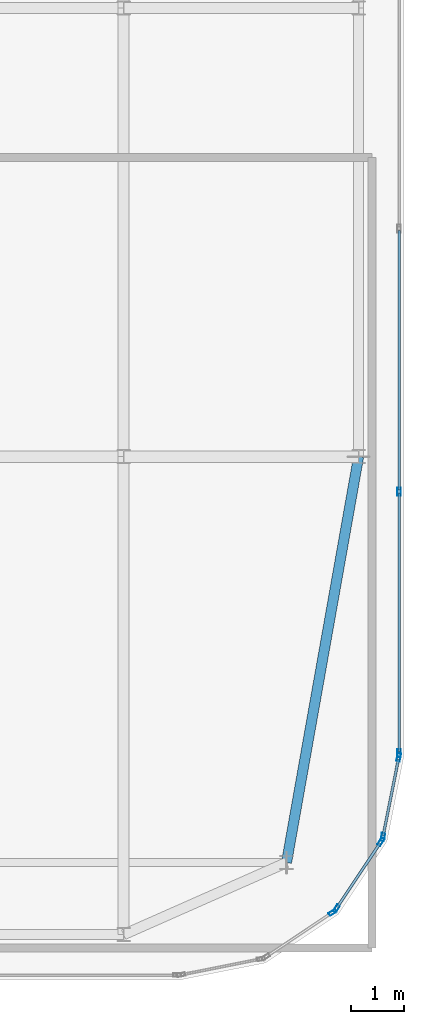
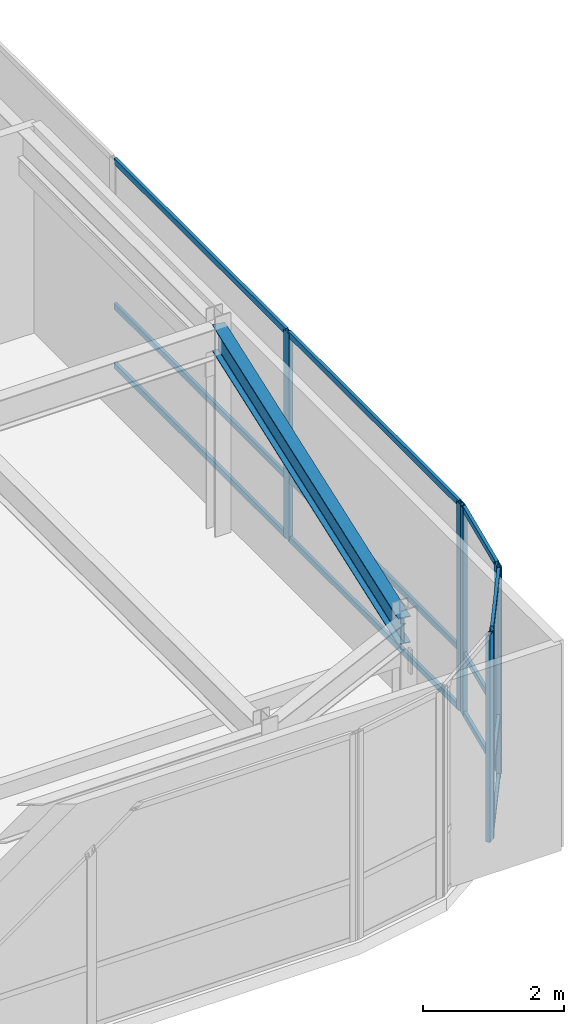
# One storey, part 21 of 36: 19 members, 1 beam, 4 elements without a shape of their own.
"""IFC4 building model written with IfcOpenShell, lengths in metres."""

import ifcopenshell
import ifcopenshell.guid

model = None  # the IFC model being written
_history = None  # IfcOwnerHistory: only IFC2X3 demands one
_inside = {}  # id of a spatial element -> (the spatial element, [elements in it])
_under = {}  # id of a project, library or spatial element -> (it, [spatial elements below it])
_declared = {}  # id of a project -> (the project, [libraries it declares])
_typed = {}  # id of a type object -> (the type object, [elements of that type])
_made_of = {}  # id of a material, layer set ... -> (it, [elements and type objects made of it])


def new_model(schema):
    """Start an empty IFC model of exactly this schema.

    Asked for "IFC4X3", IfcOpenShell would pick the latest addendum, in which some entities
    have other attributes; the version numbers below select the first issue.
    IFC2X3 requires an IfcOwnerHistory on every rooted entity: one is made here for all.
    """
    global model, _history
    if schema == "IFC4X3":
        model = ifcopenshell.file(schema_version=(4, 3, 0, 0))
    else:
        model = ifcopenshell.file(schema=schema)
    _inside.clear()
    _under.clear()
    _declared.clear()
    _typed.clear()
    _made_of.clear()
    _history = None
    if model.schema == "IFC2X3":
        org = make("IfcOrganization", Name="unknown")
        user = make(
            "IfcPersonAndOrganization",
            ThePerson=make("IfcPerson", FamilyName="unknown"),
            TheOrganization=org,
        )
        app = make(
            "IfcApplication",
            ApplicationDeveloper=org,
            Version="unknown",
            ApplicationFullName="unknown",
            ApplicationIdentifier="unknown",
        )
        _history = make(
            "IfcOwnerHistory",
            OwningUser=user,
            OwningApplication=app,
            ChangeAction="ADDED",
            CreationDate=0,
        )
    return model


def make(cls, **values):
    """One entity of the class cls with the attributes given. An attribute that is None is left unset."""
    return model.create_entity(
        cls, **{name: value for name, value in values.items() if value is not None}
    )


def rooted(cls, **values):
    """An entity with a GlobalId (a new one), such as an element, a storey or a relation."""
    return make(cls, GlobalId=ifcopenshell.guid.new(), OwnerHistory=_history, **values)


def si_unit(unit_type, name, prefix=None):
    """IfcSIUnit, for example si_unit("LENGTHUNIT", "METRE", prefix="MILLI")."""
    return make("IfcSIUnit", UnitType=unit_type, Prefix=prefix, Name=name)


def assignment(units):
    """IfcUnitAssignment: the units of a project."""
    return None if units is None else make("IfcUnitAssignment", Units=units)


def point(xyz):
    """IfcCartesianPoint."""
    return None if xyz is None else make("IfcCartesianPoint", Coordinates=xyz)


def direction(xyz):
    """IfcDirection."""
    return None if xyz is None else make("IfcDirection", DirectionRatios=xyz)


def frame(location, z_axis=None, x_axis=None):
    """IfcAxis2Placement3D, a coordinate frame: its origin and axes. An axis left out is left unset."""
    return make(
        "IfcAxis2Placement3D",
        Location=point(location),
        Axis=direction(z_axis),
        RefDirection=direction(x_axis),
    )


def frame_2d(location, x_axis=None):
    """IfcAxis2Placement2D, a coordinate frame in the plane: its origin and x axis."""
    return make(
        "IfcAxis2Placement2D", Location=point(location), RefDirection=direction(x_axis)
    )


def origin():
    """The frame at (0, 0, 0) with its axes left unset."""
    return frame((0.0, 0.0, 0.0))


def origin_2d():
    """The frame at (0, 0) in the plane with its x axis left unset."""
    return frame_2d((0.0, 0.0))


def place(relative_to, where):
    """IfcLocalPlacement: puts the frame where relative to a parent placement (None: the world)."""
    return make(
        "IfcLocalPlacement", PlacementRelTo=relative_to, RelativePlacement=where
    )


def context(
    kind, dimensions, precision=None, world=None, true_north=None, identifier=None
):
    """IfcGeometricRepresentationContext, for example the 3D "Model" context."""
    return make(
        "IfcGeometricRepresentationContext",
        ContextIdentifier=identifier,
        ContextType=kind,
        CoordinateSpaceDimension=dimensions,
        Precision=precision,
        WorldCoordinateSystem=world,
        TrueNorth=true_north,
    )


def subcontext(parent, identifier, kind, view, scale=None):
    """IfcGeometricRepresentationSubContext, for example "Body" below "Model"."""
    return make(
        "IfcGeometricRepresentationSubContext",
        ContextIdentifier=identifier,
        ContextType=kind,
        ParentContext=parent,
        TargetScale=scale,
        TargetView=view,
    )


def project(units=None, contexts=None):
    """IfcProject with its units and contexts."""
    return rooted(
        "IfcProject",
        Name="project",
        RepresentationContexts=contexts,
        UnitsInContext=assignment(units),
    )


def spatial(cls, under=None, at=None, **own):
    """A site, building, storey or space (cls), placed at a placement, below another one or the project."""
    s = rooted(cls, ObjectPlacement=at, **own)
    if under is not None:
        _under.setdefault(under.id(), (under, []))[1].append(s)
    return s


def profile(cls, at=None, kind="AREA", **sizes):
    """A parametric profile (cls). Its sizes go by their IFC names, for example OverallWidth=200.0."""
    return make(cls, ProfileType=kind, Position=at, **sizes)


def hollow_rectangle(**sizes):
    """IfcRectangleHollowProfileDef."""
    return profile("IfcRectangleHollowProfileDef", **sizes)


def i_section(**sizes):
    """IfcIShapeProfileDef."""
    return profile("IfcIShapeProfileDef", **sizes)


def extrude(swept, where, along, depth):
    """IfcExtrudedAreaSolid: the profile swept, set in the frame where, extruded along a direction by depth."""
    return make(
        "IfcExtrudedAreaSolid",
        SweptArea=swept,
        Position=where,
        ExtrudedDirection=direction(along),
        Depth=depth,
    )


def shape(context_of_items, identifier, shape_type, items):
    """IfcShapeRepresentation: the items that make up one representation, for example the "Body"."""
    return make(
        "IfcShapeRepresentation",
        ContextOfItems=context_of_items,
        RepresentationIdentifier=identifier,
        RepresentationType=shape_type,
        Items=items,
    )


def source(mapping_origin, context_of_items, identifier, shape_type, items):
    """IfcRepresentationMap: a shape defined once, which mapped items show again and again."""
    return make(
        "IfcRepresentationMap",
        MappingOrigin=mapping_origin,
        MappedRepresentation=shape(context_of_items, identifier, shape_type, items),
    )


def transform(
    local_origin,
    x_axis=None,
    y_axis=None,
    z_axis=None,
    scale=None,
    scale2=None,
    scale3=None,
    uniform=True,
):
    """IfcCartesianTransformationOperator3D, or its non-uniform kind. x_axis, y_axis, z_axis: its Axis1, 2, 3."""
    if uniform:
        return make(
            "IfcCartesianTransformationOperator3D",
            Axis1=direction(x_axis),
            Axis2=direction(y_axis),
            LocalOrigin=point(local_origin),
            Scale=scale,
            Axis3=direction(z_axis),
        )
    return make(
        "IfcCartesianTransformationOperator3DnonUniform",
        Axis1=direction(x_axis),
        Axis2=direction(y_axis),
        LocalOrigin=point(local_origin),
        Scale=scale,
        Axis3=direction(z_axis),
        Scale2=scale2,
        Scale3=scale3,
    )


def mapped(mapping_source, mapping_target):
    """IfcMappedItem: shows the shape of a source again, moved by a transform."""
    return make(
        "IfcMappedItem", MappingSource=mapping_source, MappingTarget=mapping_target
    )


def material(Name=None, Category=None):
    """IfcMaterial."""
    return make("IfcMaterial", Name=Name, Category=Category)


def layer(
    of_material, thickness, ventilated=None, Name=None, Category=None, Priority=None
):
    """IfcMaterialLayer: one layer of a wall or slab, of a material (None: an air gap)."""
    return make(
        "IfcMaterialLayer",
        Material=of_material,
        LayerThickness=thickness,
        IsVentilated=ventilated,
        Name=Name,
        Category=Category,
        Priority=Priority,
    )


def layer_set(layers, Name=None):
    """IfcMaterialLayerSet."""
    return make("IfcMaterialLayerSet", MaterialLayers=layers, LayerSetName=Name)


def material_profile(
    of_material, cross_section, Name=None, Category=None, Priority=None
):
    """IfcMaterialProfile: a cross section and its material."""
    return make(
        "IfcMaterialProfile",
        Name=Name,
        Material=of_material,
        Profile=cross_section,
        Priority=Priority,
        Category=Category,
    )


def profile_set(profiles, Name=None, composite=None):
    """IfcMaterialProfileSet."""
    return make(
        "IfcMaterialProfileSet",
        Name=Name,
        MaterialProfiles=profiles,
        CompositeProfile=composite,
    )


def made_of(thing, what):
    """Note that an element or type object is made of a material, layer set ...; save() writes the relation."""
    if what is not None:
        _made_of.setdefault(what.id(), (what, []))[1].append(thing)
    return thing


def type_object(cls, material=None, **own):
    """A type object (cls), such as IfcWallType, which elements share."""
    return made_of(rooted(cls, **own), material)


def type_shapes(of_type, sources):
    """Give a type object the sources (RepresentationMaps) that its elements show as mapped items."""
    of_type.RepresentationMaps = sources


def element(
    cls,
    number,
    at=None,
    inside=None,
    cuts=None,
    type_object=None,
    material=None,
    context=None,
    identifier="Body",
    shape_type=None,
    held_by="IfcProductDefinitionShape",
    body=None,
    shapes=None,
    **own,
):
    """One element of the class cls, such as IfcWall. Its Tag is "e" and its number.

    at: its placement. inside: the storey or other place that contains it. cuts: it is an
    opening in that element (IfcRelVoidsElement). A single representation is given by context,
    identifier, shape_type and body (its items); several are given by shapes. held_by: the class
    of the entity that holds the representations. save() writes the other relations.
    """
    e = rooted(cls, Tag="e%d" % number, ObjectPlacement=at, **own)
    if body is not None:
        shapes = [shape(context, identifier, shape_type, body)]
    if shapes is not None:
        e.Representation = make(held_by, Representations=shapes)
    if inside is not None:
        _inside.setdefault(inside.id(), (inside, []))[1].append(e)
    if cuts is not None:
        rooted(
            "IfcRelVoidsElement", RelatingBuildingElement=cuts, RelatedOpeningElement=e
        )
    if type_object is not None:
        _typed.setdefault(type_object.id(), (type_object, []))[1].append(e)
    return made_of(e, material)


def aggregate(whole, parts):
    """IfcRelAggregates: a whole, such as a stair, and the parts it consists of."""
    return rooted("IfcRelAggregates", RelatingObject=whole, RelatedObjects=parts)


def save(model, path):
    """Write the relations noted so far, then the file.

    IfcRelAggregates (storeys below a building ...), IfcRelContainedInSpatialStructure (elements
    in a storey), IfcRelDefinesByType, IfcRelAssociatesMaterial and IfcRelDeclares: one each for
    every whole, place, type object, material and project.
    """
    for whole, parts in _under.values():
        aggregate(whole, parts)
    for where, things in _inside.values():
        rooted(
            "IfcRelContainedInSpatialStructure",
            RelatedElements=things,
            RelatingStructure=where,
        )
    for kind, things in _typed.values():
        rooted("IfcRelDefinesByType", RelatedObjects=things, RelatingType=kind)
    for what, things in _made_of.values():
        rooted("IfcRelAssociatesMaterial", RelatedObjects=things, RelatingMaterial=what)
    for by, libraries in _declared.values():
        rooted("IfcRelDeclares", RelatingContext=by, RelatedDefinitions=libraries)
    model.write(path)


model = new_model("IFC4")

# Units and contexts
model_context = context("Model", 3, precision=1e-05, world=origin(), true_north=direction((0.0, 1.0)))
body_context = subcontext(model_context, "Body", "Model", "MODEL_VIEW")
ifc_project = project(units=[si_unit("LENGTHUNIT", "METRE"), si_unit("AREAUNIT", "SQUARE_METRE"), si_unit("VOLUMEUNIT", "CUBIC_METRE"), si_unit("PLANEANGLEUNIT", "RADIAN"), si_unit("MASSUNIT", "GRAM", prefix="KILO")], contexts=[model_context])

# Site, building, storey
site_placement = place(None, origin())
site = spatial("IfcSite", under=ifc_project, at=site_placement, CompositionType="ELEMENT")
building_placement = place(site_placement, origin())
building = spatial("IfcBuilding", under=site, at=building_placement, Name="Tolvann Quenvar Hotel", CompositionType="ELEMENT")
storey_placement = place(building_placement, frame((0.0, 0.0, 294.75)))
storey = spatial("IfcBuildingStorey", under=building, at=storey_placement, Name="L78", CompositionType="ELEMENT", Elevation=294.75)

# Beam
ifc_material_1 = material(Name="Steel Grade 350", Category="steel")
ifc_material_profile_1 = material_profile(ifc_material_1, i_section(OverallWidth=0.19091796875, OverallDepth=0.4599609375, WebThickness=0.010009765625, FlangeThickness=0.01611328125, FilletRadius=0.011474609375, at=origin_2d()), Name="460UB82")
ifc_profile_set_1 = profile_set([ifc_material_profile_1], Name="Steel Grade 350")
beam_type = type_object("IfcBeamType", Name="BM_SPAND_460UB82", PredefinedType="SPANDREL", material=ifc_profile_set_1)
shared_shape_1 = source(origin(), body_context, "Body", "SweptSolid", [
    extrude(i_section(OverallWidth=0.19091796875, OverallDepth=0.4599609375, WebThickness=0.010009765625, FlangeThickness=0.01611328125, FilletRadius=0.011474609375, at=origin_2d()), origin(), (0.0, 0.0, 1.0), 7.718994140625),
])
type_shapes(beam_type, [shared_shape_1])
beam_placement = place(storey_placement, frame((35.800048828125, 8.39990234375, 3.35009765625), z_axis=(0.174873222329, 0.984590958781, 0.0), x_axis=(-0.984590958781, 0.174873222329, 0.0)))
element("IfcBeam", 1, at=beam_placement, inside=storey, type_object=beam_type, Name="BM-L78-NS-G2-G4", PredefinedType="SPANDREL", context=body_context, shape_type="MappedRepresentation", body=[
    mapped(shared_shape_1, transform((0.0, 0.0, 0.0), x_axis=(1.0, 0.0, 0.0), y_axis=(0.0, 1.0, 0.0), z_axis=(0.0, 0.0, 1.0), scale=1.0)),
])

# Curtain wall, member
ifc_material_2 = material(Name="Thermally broken anodised architectural aluminium 6063-T6 and laminated low-E glass", Category="aluminium")
ifc_layer = layer(ifc_material_2, 0.179931640625)
ifc_layer_set = layer_set([ifc_layer], Name="Thermally broken anodised architectural aluminium 6063-T6 and laminated low-E glass")
curtain_wall_type = type_object("IfcCurtainWallType", Name="CW_SYS_LANT_06", PredefinedType="USERDEFINED", material=ifc_layer_set)
curtain_wall_1_placement = place(storey_placement, origin())
curtain_wall_1 = element("IfcCurtainWall", 2, at=curtain_wall_1_placement, inside=storey, type_object=curtain_wall_type, Name="Curtain Wall CW-LANT-06 (CWR-L78-E06)", ObjectType="UNITISED CURTAIN WALL", PredefinedType="USERDEFINED")
ifc_material_3 = material(Name="Anodised architectural aluminium 6063-T6 framing", Category="aluminium")
ifc_material_profile_2 = material_profile(ifc_material_3, hollow_rectangle(XDim=0.06494140625, YDim=0.14990234375, WallThickness=0.00390625, at=origin_2d()), Name="150x65x4RHS")
ifc_profile_set_2 = profile_set([ifc_material_profile_2], Name="Anodised architectural aluminium 6063-T6 framing")
member_type_1 = type_object("IfcMemberType", Name="CW_MULL_150x65", PredefinedType="MULLION", material=ifc_profile_set_2)
shared_shape_2 = source(origin(), body_context, "Body", "SweptSolid", [
    extrude(hollow_rectangle(XDim=0.06494140625, YDim=0.14990234375, WallThickness=0.00390625, at=origin_2d()), origin(), (0.0, 0.0, 1.0), 3.580078125),
])
type_shapes(member_type_1, [shared_shape_2])
member_1_placement = place(storey_placement, frame((36.663818359375, 7.467529296875, 0.0), z_axis=(0.0, 0.0, 1.0), x_axis=(-0.555655769644, 0.831412452193, 0.0)))
member_1 = element("IfcMember", 3, at=member_1_placement, type_object=member_type_1, Name="CW-LANT-06 mullion 2", PredefinedType="MULLION", context=body_context, shape_type="MappedRepresentation", body=[
    mapped(shared_shape_2, transform((0.0, 0.0, 0.0), x_axis=(1.0, 0.0, 0.0), y_axis=(0.0, 1.0, 0.0), z_axis=(0.0, 0.0, 1.0), scale=1.0)),
])
aggregate(curtain_wall_1, [member_1])

# Curtain wall, members
curtain_wall_2_placement = place(storey_placement, origin())
curtain_wall_2 = element("IfcCurtainWall", 4, at=curtain_wall_2_placement, inside=storey, type_object=curtain_wall_type, Name="Curtain Wall CW-LANT-06 (CWR-L78-E07)", ObjectType="UNITISED CURTAIN WALL", PredefinedType="USERDEFINED")
member_2_placement = place(storey_placement, frame((36.732421875, 7.5361328125, 0.0), z_axis=(0.0, 0.0, 1.0), x_axis=(-0.831412452193, 0.555655769644, 0.0)))
member_2 = element("IfcMember", 5, at=member_2_placement, type_object=member_type_1, Name="CW-LANT-06 mullion 1", PredefinedType="MULLION", context=body_context, shape_type="MappedRepresentation", body=[
    mapped(shared_shape_2, transform((0.0, 0.0, 0.0), x_axis=(1.0, 0.0, 0.0), y_axis=(0.0, 1.0, 0.0), z_axis=(0.0, 0.0, 1.0), scale=1.0)),
])
member_3_placement = place(storey_placement, frame((37.568115234375, 8.786865234375, 0.0), z_axis=(0.0, 0.0, 1.0), x_axis=(-0.831412452193, 0.555655769644, 0.0)))
member_3 = element("IfcMember", 6, at=member_3_placement, type_object=member_type_1, Name="CW-LANT-06 mullion 2", PredefinedType="MULLION", context=body_context, shape_type="MappedRepresentation", body=[
    mapped(shared_shape_2, transform((0.0, 0.0, 0.0), x_axis=(1.0, 0.0, 0.0), y_axis=(0.0, 1.0, 0.0), z_axis=(0.0, 0.0, 1.0), scale=1.0)),
])

curtain_wall_3_placement = place(storey_placement, origin())
curtain_wall_3 = element("IfcCurtainWall", 7, at=curtain_wall_3_placement, inside=storey, type_object=curtain_wall_type, Name="Curtain Wall CW-LANT-06 (CWR-L78-E08)", ObjectType="UNITISED CURTAIN WALL", PredefinedType="USERDEFINED")
member_4_placement = place(storey_placement, frame((37.605224609375, 8.876220703125, 0.0), z_axis=(0.0, 0.0, 1.0), x_axis=(-0.980790999222, 0.195061569369, 0.0)))
member_4 = element("IfcMember", 8, at=member_4_placement, type_object=member_type_1, Name="CW-LANT-06 mullion 1", PredefinedType="MULLION", context=body_context, shape_type="MappedRepresentation", body=[
    mapped(shared_shape_2, transform((0.0, 0.0, 0.0), x_axis=(1.0, 0.0, 0.0), y_axis=(0.0, 1.0, 0.0), z_axis=(0.0, 0.0, 1.0), scale=1.0)),
])
member_5_placement = place(storey_placement, frame((37.902099609375, 10.36865234375, 0.0), z_axis=(0.0, 0.0, 1.0), x_axis=(-0.980790999222, 0.195061569369, 0.0)))
member_5 = element("IfcMember", 9, at=member_5_placement, type_object=member_type_1, Name="CW-LANT-06 mullion 2", PredefinedType="MULLION", context=body_context, shape_type="MappedRepresentation", body=[
    mapped(shared_shape_2, transform((0.0, 0.0, 0.0), x_axis=(1.0, 0.0, 0.0), y_axis=(0.0, 1.0, 0.0), z_axis=(0.0, 0.0, 1.0), scale=1.0)),
])

curtain_wall_4_placement = place(storey_placement, origin())
curtain_wall_4 = element("IfcCurtainWall", 10, at=curtain_wall_4_placement, inside=storey, type_object=curtain_wall_type, Name="Curtain Wall CW-LANT-06 (CWR-L78-E09)", ObjectType="UNITISED CURTAIN WALL", PredefinedType="USERDEFINED")
member_6_placement = place(storey_placement, frame((37.909912109375, 10.44970703125, 0.0), z_axis=(0.0, 0.0, 1.0), x_axis=(-1.0, 0.0, 0.0)))
member_6 = element("IfcMember", 11, at=member_6_placement, type_object=member_type_1, Name="CW-LANT-06 mullion 1", PredefinedType="MULLION", context=body_context, shape_type="MappedRepresentation", body=[
    mapped(shared_shape_2, transform((0.0, 0.0, 0.0), x_axis=(1.0, 0.0, 0.0), y_axis=(0.0, 1.0, 0.0), z_axis=(0.0, 0.0, 1.0), scale=1.0)),
])
member_7_placement = place(storey_placement, frame((37.909912109375, 15.3447265625, 0.0), z_axis=(0.0, 0.0, 1.0), x_axis=(-1.0, 0.0, 0.0)))
member_7 = element("IfcMember", 12, at=member_7_placement, type_object=member_type_1, Name="CW-LANT-06 mullion 2", PredefinedType="MULLION", context=body_context, shape_type="MappedRepresentation", body=[
    mapped(shared_shape_2, transform((0.0, 0.0, 0.0), x_axis=(1.0, 0.0, 0.0), y_axis=(0.0, 1.0, 0.0), z_axis=(0.0, 0.0, 1.0), scale=1.0)),
])

# Member
ifc_material_profile_3 = material_profile(ifc_material_3, hollow_rectangle(XDim=0.050048828125, YDim=0.10009765625, WallThickness=0.0029296875, at=origin_2d()), Name="100x50x3RHS")
ifc_profile_set_3 = profile_set([ifc_material_profile_3], Name="Anodised architectural aluminium 6063-T6 framing")
member_type_2 = type_object("IfcMemberType", Name="CW_TRAN_100x50", PredefinedType="USERDEFINED", material=ifc_profile_set_3)
shared_shape_3 = source(origin(), body_context, "Body", "SweptSolid", [
    extrude(hollow_rectangle(XDim=0.050048828125, YDim=0.10009765625, WallThickness=0.0029296875, at=origin_2d()), origin(), (0.0, 0.0, 1.0), 1.439208984375),
])
member_8_placement = place(storey_placement, frame((36.75048828125, 7.563232421875, 0.02490234375), z_axis=(0.555600315839, 0.831449510818, 0.0), x_axis=(-0.831449510818, 0.555600315839, 0.0)))
member_8 = element("IfcMember", 13, at=member_8_placement, type_object=member_type_2, Name="CW-LANT-06 transom 1.1", ObjectType="TRANSOM", PredefinedType="USERDEFINED", context=body_context, shape_type="MappedRepresentation", body=[
    mapped(shared_shape_3, transform((0.0, 0.0, 0.0), x_axis=(1.0, 0.0, 0.0), y_axis=(0.0, 1.0, 0.0), z_axis=(0.0, 0.0, 1.0), scale=1.0)),
])

member_9_placement = place(storey_placement, frame((36.75048828125, 7.563232421875, 1.050048828125), z_axis=(0.555600315839, 0.831449510818, 0.0), x_axis=(-0.831449510818, 0.555600315839, 0.0)))
member_9 = element("IfcMember", 14, at=member_9_placement, type_object=member_type_2, Name="CW-LANT-06 transom 1.2", ObjectType="TRANSOM", PredefinedType="USERDEFINED", context=body_context, shape_type="MappedRepresentation", body=[
    mapped(shared_shape_3, transform((0.0, 0.0, 0.0), x_axis=(1.0, 0.0, 0.0), y_axis=(0.0, 1.0, 0.0), z_axis=(0.0, 0.0, 1.0), scale=1.0)),
])

member_10_placement = place(storey_placement, frame((36.75048828125, 7.563232421875, 3.554931640625), z_axis=(0.555600315839, 0.831449510818, 0.0), x_axis=(-0.831449510818, 0.555600315839, 0.0)))
member_10 = element("IfcMember", 15, at=member_10_placement, type_object=member_type_2, Name="CW-LANT-06 transom 1.3", ObjectType="TRANSOM", PredefinedType="USERDEFINED", context=body_context, shape_type="MappedRepresentation", body=[
    mapped(shared_shape_3, transform((0.0, 0.0, 0.0), x_axis=(1.0, 0.0, 0.0), y_axis=(0.0, 1.0, 0.0), z_axis=(0.0, 0.0, 1.0), scale=1.0)),
])

aggregate(curtain_wall_2, [member_2, member_3, member_8, member_9, member_10])

shared_shape_4 = source(origin(), body_context, "Body", "SweptSolid", [
    extrude(hollow_rectangle(XDim=0.050048828125, YDim=0.10009765625, WallThickness=0.0029296875, at=origin_2d()), origin(), (0.0, 0.0, 1.0), 1.456787109375),
])
member_11_placement = place(storey_placement, frame((37.611572265625, 8.908203125, 0.02490234375), z_axis=(0.195084651288, 0.980786408364, 0.0), x_axis=(-0.980786408364, 0.195084651288, 0.0)))
member_11 = element("IfcMember", 16, at=member_11_placement, type_object=member_type_2, Name="CW-LANT-06 transom 1.1", ObjectType="TRANSOM", PredefinedType="USERDEFINED", context=body_context, shape_type="MappedRepresentation", body=[
    mapped(shared_shape_4, transform((0.0, 0.0, 0.0), x_axis=(1.0, 0.0, 0.0), y_axis=(0.0, 1.0, 0.0), z_axis=(0.0, 0.0, 1.0), scale=1.0)),
])

member_12_placement = place(storey_placement, frame((37.611572265625, 8.908203125, 1.050048828125), z_axis=(0.195084651288, 0.980786408364, 0.0), x_axis=(-0.980786408364, 0.195084651288, 0.0)))
member_12 = element("IfcMember", 17, at=member_12_placement, type_object=member_type_2, Name="CW-LANT-06 transom 1.2", ObjectType="TRANSOM", PredefinedType="USERDEFINED", context=body_context, shape_type="MappedRepresentation", body=[
    mapped(shared_shape_4, transform((0.0, 0.0, 0.0), x_axis=(1.0, 0.0, 0.0), y_axis=(0.0, 1.0, 0.0), z_axis=(0.0, 0.0, 1.0), scale=1.0)),
])

member_13_placement = place(storey_placement, frame((37.611572265625, 8.908203125, 3.554931640625), z_axis=(0.195084651288, 0.980786408364, 0.0), x_axis=(-0.980786408364, 0.195084651288, 0.0)))
member_13 = element("IfcMember", 18, at=member_13_placement, type_object=member_type_2, Name="CW-LANT-06 transom 1.3", ObjectType="TRANSOM", PredefinedType="USERDEFINED", context=body_context, shape_type="MappedRepresentation", body=[
    mapped(shared_shape_4, transform((0.0, 0.0, 0.0), x_axis=(1.0, 0.0, 0.0), y_axis=(0.0, 1.0, 0.0), z_axis=(0.0, 0.0, 1.0), scale=1.0)),
])

aggregate(curtain_wall_3, [member_4, member_5, member_11, member_12, member_13])

shared_shape_5 = source(origin(), body_context, "Body", "SweptSolid", [
    extrude(hollow_rectangle(XDim=0.050048828125, YDim=0.10009765625, WallThickness=0.0029296875, at=origin_2d()), origin(), (0.0, 0.0, 1.0), 4.830078125),
])
member_14_placement = place(storey_placement, frame((37.909912109375, 10.482177734375, 0.02490234375), z_axis=(0.0, 1.0, 0.0), x_axis=(-1.0, 0.0, 0.0)))
member_14 = element("IfcMember", 19, at=member_14_placement, type_object=member_type_2, Name="CW-LANT-06 transom 1.1", ObjectType="TRANSOM", PredefinedType="USERDEFINED", context=body_context, shape_type="MappedRepresentation", body=[
    mapped(shared_shape_5, transform((0.0, 0.0, 0.0), x_axis=(1.0, 0.0, 0.0), y_axis=(0.0, 1.0, 0.0), z_axis=(0.0, 0.0, 1.0), scale=1.0)),
])

member_15_placement = place(storey_placement, frame((37.909912109375, 10.482177734375, 1.050048828125), z_axis=(0.0, 1.0, 0.0), x_axis=(-1.0, 0.0, 0.0)))
member_15 = element("IfcMember", 20, at=member_15_placement, type_object=member_type_2, Name="CW-LANT-06 transom 1.2", ObjectType="TRANSOM", PredefinedType="USERDEFINED", context=body_context, shape_type="MappedRepresentation", body=[
    mapped(shared_shape_5, transform((0.0, 0.0, 0.0), x_axis=(1.0, 0.0, 0.0), y_axis=(0.0, 1.0, 0.0), z_axis=(0.0, 0.0, 1.0), scale=1.0)),
])

member_16_placement = place(storey_placement, frame((37.909912109375, 10.482177734375, 3.554931640625), z_axis=(0.0, 1.0, 0.0), x_axis=(-1.0, 0.0, 0.0)))
member_16 = element("IfcMember", 21, at=member_16_placement, type_object=member_type_2, Name="CW-LANT-06 transom 1.3", ObjectType="TRANSOM", PredefinedType="USERDEFINED", context=body_context, shape_type="MappedRepresentation", body=[
    mapped(shared_shape_5, transform((0.0, 0.0, 0.0), x_axis=(1.0, 0.0, 0.0), y_axis=(0.0, 1.0, 0.0), z_axis=(0.0, 0.0, 1.0), scale=1.0)),
])

shared_shape_6 = source(origin(), body_context, "Body", "SweptSolid", [
    extrude(hollow_rectangle(XDim=0.050048828125, YDim=0.10009765625, WallThickness=0.0029296875, at=origin_2d()), origin(), (0.0, 0.0, 1.0), 4.86279296875),
])
type_shapes(member_type_2, [shared_shape_3, shared_shape_4, shared_shape_5, shared_shape_6])
member_17_placement = place(storey_placement, frame((37.909912109375, 15.377197265625, 0.02490234375), z_axis=(0.0, 1.0, 0.0), x_axis=(-1.0, 0.0, 0.0)))
member_17 = element("IfcMember", 22, at=member_17_placement, type_object=member_type_2, Name="CW-LANT-06 transom 2.1", ObjectType="TRANSOM", PredefinedType="USERDEFINED", context=body_context, shape_type="MappedRepresentation", body=[
    mapped(shared_shape_6, transform((0.0, 0.0, 0.0), x_axis=(1.0, 0.0, 0.0), y_axis=(0.0, 1.0, 0.0), z_axis=(0.0, 0.0, 1.0), scale=1.0)),
])

member_18_placement = place(storey_placement, frame((37.909912109375, 15.377197265625, 1.050048828125), z_axis=(0.0, 1.0, 0.0), x_axis=(-1.0, 0.0, 0.0)))
member_18 = element("IfcMember", 23, at=member_18_placement, type_object=member_type_2, Name="CW-LANT-06 transom 2.2", ObjectType="TRANSOM", PredefinedType="USERDEFINED", context=body_context, shape_type="MappedRepresentation", body=[
    mapped(shared_shape_6, transform((0.0, 0.0, 0.0), x_axis=(1.0, 0.0, 0.0), y_axis=(0.0, 1.0, 0.0), z_axis=(0.0, 0.0, 1.0), scale=1.0)),
])

member_19_placement = place(storey_placement, frame((37.909912109375, 15.377197265625, 3.554931640625), z_axis=(0.0, 1.0, 0.0), x_axis=(-1.0, 0.0, 0.0)))
member_19 = element("IfcMember", 24, at=member_19_placement, type_object=member_type_2, Name="CW-LANT-06 transom 2.3", ObjectType="TRANSOM", PredefinedType="USERDEFINED", context=body_context, shape_type="MappedRepresentation", body=[
    mapped(shared_shape_6, transform((0.0, 0.0, 0.0), x_axis=(1.0, 0.0, 0.0), y_axis=(0.0, 1.0, 0.0), z_axis=(0.0, 0.0, 1.0), scale=1.0)),
])

aggregate(curtain_wall_4, [member_6, member_7, member_14, member_15, member_16, member_17, member_18, member_19])

save(model, "model.ifc")
